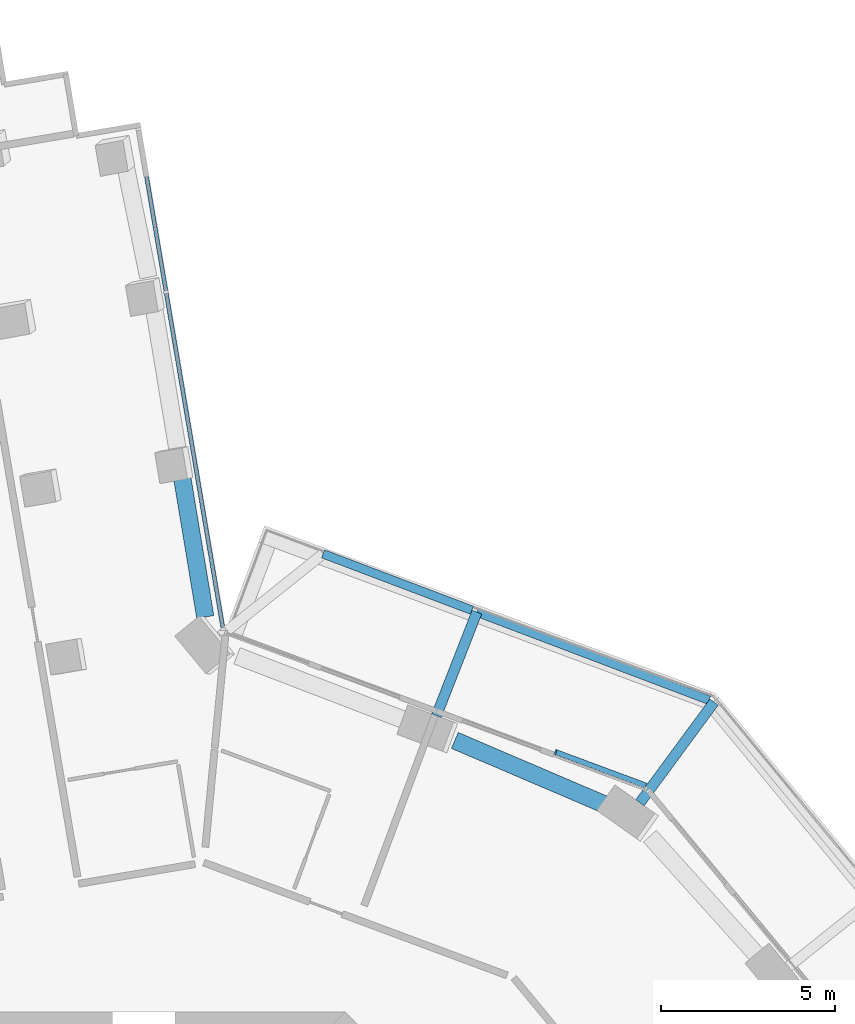
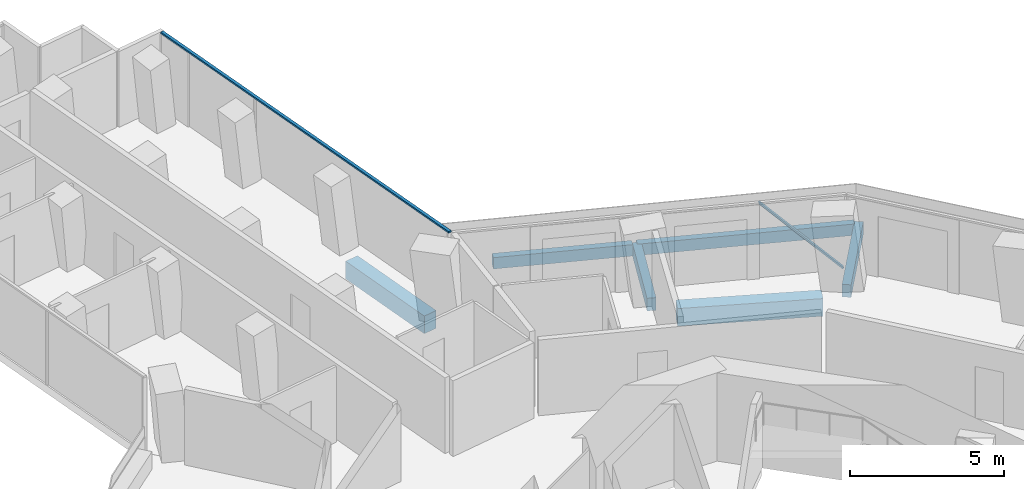
# One storey, part 10 of 27: 6 beams, 2 members, 2 elements without a shape of their own.
"""IFC4 building model written with IfcOpenShell, lengths in metres."""

from ifc_helpers import new_model, si_unit, direction, frame, origin, origin_2d, place, context, subcontext, project, spatial, rectangle, extrude, material, layer, layer_set, material_profile, profile_set, type_object, element, aggregate, save


model = new_model("IFC4")

# Units and contexts
model_context = context("Model", 3, precision=1e-05, world=origin(), true_north=direction((0.0, 1.0)))
body_context = subcontext(model_context, "Body", "Model", "MODEL_VIEW")
ifc_project = project(units=[si_unit("LENGTHUNIT", "METRE"), si_unit("AREAUNIT", "SQUARE_METRE"), si_unit("VOLUMEUNIT", "CUBIC_METRE"), si_unit("PLANEANGLEUNIT", "RADIAN"), si_unit("MASSUNIT", "GRAM", prefix="KILO")], contexts=[model_context])

# Site, building, storey
site_placement = place(None, origin())
site = spatial("IfcSite", under=ifc_project, at=site_placement, CompositionType="ELEMENT")
building_placement = place(site_placement, origin())
building = spatial("IfcBuilding", under=site, at=building_placement, Name="Verdalira Terraces Hotel", CompositionType="ELEMENT")
storey_placement = place(building_placement, frame((0.0, 0.0, 71.5)))
storey = spatial("IfcBuildingStorey", under=building, at=storey_placement, Name="L16", CompositionType="ELEMENT", Elevation=71.5)

# Beams
ifc_material_1 = material(Name="Concrete C40", Category="concrete")
ifc_material_profile_1 = material_profile(ifc_material_1, rectangle(XDim=0.300049, YDim=0.5, at=origin_2d()), Name="RC 300X500")
ifc_profile_set_1 = profile_set([ifc_material_profile_1], Name="Concrete C40")
beam_type_1 = type_object("IfcBeamType", Name="Balcony cantilever beam RC 300X500 C40", PredefinedType="BEAM", material=ifc_profile_set_1)
beam_1_placement = place(storey_placement, frame((14.286133, 20.027588, -0.560059), z_axis=(0.592821707, 0.805333734, 0.0), x_axis=(-0.805333734, 0.592821707, 0.0)))
element("IfcBeam", 1, at=beam_1_placement, inside=storey, type_object=beam_type_1, Name="Balcony cantilever beam R40-3", PredefinedType="BEAM", context=body_context, shape_type="SweptSolid", body=[
    extrude(rectangle(XDim=0.300049, YDim=0.5, at=origin_2d()), origin(), (0.0, 0.0, 1.0), 3.598145),
])
beam_2_placement = place(storey_placement, frame((8.425781, 22.53418, -0.560059), z_axis=(0.36427856, 0.931290036, 0.0), x_axis=(-0.931290036, 0.36427856, 0.0)))
element("IfcBeam", 2, at=beam_2_placement, inside=storey, type_object=beam_type_1, Name="Balcony cantilever beam R40-4", PredefinedType="BEAM", context=body_context, shape_type="SweptSolid", body=[
    extrude(rectangle(XDim=0.300049, YDim=0.5, at=origin_2d()), origin(), (0.0, 0.0, 1.0), 3.200928),
])
ifc_material_2 = material(Name="Concrete C40", Category="concrete")
ifc_material_profile_2 = material_profile(ifc_material_2, rectangle(XDim=0.25, YDim=0.449951, at=origin_2d()), Name="RC 250X450")
ifc_profile_set_2 = profile_set([ifc_material_profile_2], Name="Concrete C40")
beam_type_2 = type_object("IfcBeamType", Name="Balcony edge beam RC 250X450 C40", PredefinedType="BEAM", material=ifc_profile_set_2)
beam_3_placement = place(storey_placement, frame((16.273682, 22.980469, -0.534912), z_axis=(-0.934990104, 0.354673801, 0.0), x_axis=(-0.354673801, -0.934990104, 0.0)))
element("IfcBeam", 3, at=beam_3_placement, inside=storey, type_object=beam_type_2, Name="Balcony edge beam R40-3", PredefinedType="BEAM", context=body_context, shape_type="SweptSolid", body=[
    extrude(rectangle(XDim=0.25, YDim=0.449951, at=origin_2d()), origin(), (0.0, 0.0, 1.0), 7.146484),
])
beam_4_placement = place(storey_placement, frame((9.451416, 25.568359, -0.534912), z_axis=(-0.93515811, 0.354230589, 0.0), x_axis=(-0.354230589, -0.93515811, 0.0)))
element("IfcBeam", 4, at=beam_4_placement, inside=storey, type_object=beam_type_2, Name="Balcony edge beam R40-4", PredefinedType="BEAM", context=body_context, shape_type="SweptSolid", body=[
    extrude(rectangle(XDim=0.25, YDim=0.449951, at=origin_2d()), origin(), (0.0, 0.0, 1.0), 4.58667),
])

# Curtain wall, member
ifc_material_3 = material(Name="Clear glass", Category="glass")
ifc_layer_1 = layer(ifc_material_3, 0.14990234375)
ifc_layer_set_1 = layer_set([ifc_layer_1], Name="CW2 curtain wall")
curtain_wall_type_1 = type_object("IfcCurtainWallType", Name="CW2 curtain wall", PredefinedType="NOTDEFINED", material=ifc_layer_set_1)
curtain_wall_1_placement = place(storey_placement, origin())
curtain_wall_1 = element("IfcCurtainWall", 5, at=curtain_wall_1_placement, inside=storey, type_object=curtain_wall_type_1, Name="CW2 curtain wall L16 edge 0", PredefinedType="NOTDEFINED")
ifc_material_4 = material(Name="Terracotta frame", Category="masonry")
ifc_material_profile_3 = material_profile(ifc_material_4, rectangle(XDim=0.11499, YDim=0.064941, at=origin_2d()), Name="TR 65x115")
ifc_profile_set_3 = profile_set([ifc_material_profile_3], Name="Terracotta frame")
member_type_1 = type_object("IfcMemberType", Name="CW2 transom 65x115", PredefinedType="USERDEFINED", material=ifc_profile_set_3)
member_1_placement = place(storey_placement, frame((2.289551, 24.98999, 2.967529), z_axis=(-0.166773425, 0.985995246, 0.0), x_axis=(-0.985995246, -0.166773425, 0.0)))
member_1 = element("IfcMember", 6, at=member_1_placement, type_object=member_type_1, Name="CW2 transom", ObjectType="TRANSOM", PredefinedType="USERDEFINED", context=body_context, shape_type="SweptSolid", body=[
    extrude(rectangle(XDim=0.11499, YDim=0.064941, at=origin_2d()), origin(), (0.0, 0.0, 1.0), 14.669922),
])
aggregate(curtain_wall_1, [member_1])

ifc_material_5 = material(Name="Clear glass", Category="glass")
ifc_layer_2 = layer(ifc_material_5, 0.14990234375)
ifc_layer_set_2 = layer_set([ifc_layer_2], Name="CW1 curtain wall")
curtain_wall_type_2 = type_object("IfcCurtainWallType", Name="CW1 curtain wall", PredefinedType="NOTDEFINED", material=ifc_layer_set_2)
curtain_wall_2_placement = place(storey_placement, origin())
curtain_wall_2 = element("IfcCurtainWall", 7, at=curtain_wall_2_placement, inside=storey, type_object=curtain_wall_type_2, Name="CW1 curtain wall L16 edge 41", PredefinedType="NOTDEFINED")
ifc_material_6 = material(Name="Terracotta frame", Category="masonry")
ifc_material_profile_4 = material_profile(ifc_material_6, rectangle(XDim=0.149902, YDim=0.060059, at=origin_2d()), Name="GB 60x150")
ifc_profile_set_4 = profile_set([ifc_material_profile_4], Name="Terracotta frame")
member_type_2 = type_object("IfcMemberType", Name="Diagonal glazing bar 60x150", PredefinedType="USERDEFINED", material=ifc_profile_set_4)
member_2_placement = place(storey_placement, frame((14.4375, 20.527344, 0.02417), z_axis=(-0.646963278, 0.240561166, 0.723580571), x_axis=(-0.348518184, -0.937302019, 0.0)))
member_2 = element("IfcMember", 8, at=member_2_placement, type_object=member_type_2, Name="Diagonal glazing bar", ObjectType="GLAZING BAR", PredefinedType="USERDEFINED", context=body_context, shape_type="SweptSolid", body=[
    extrude(rectangle(XDim=0.149902, YDim=0.060059, at=origin_2d()), origin(), (0.0, 0.0, 1.0), 3.989502),
])
aggregate(curtain_wall_2, [member_2])

# Beams
ifc_material_7 = material(Name="Concrete C70", Category="concrete")
ifc_material_profile_5 = material_profile(ifc_material_7, rectangle(XDim=0.5, YDim=0.699951, at=origin_2d()), Name="RC 500X700")
ifc_profile_set_5 = profile_set([ifc_material_profile_5], Name="Concrete C70")
beam_type_3 = type_object("IfcBeamType", Name="Spandrel beam RC 500X700 C70", PredefinedType="SPANDREL", material=ifc_profile_set_5)
beam_5_placement = place(storey_placement, frame((1.77124, 25.374023, -0.659912), z_axis=(-0.163592654, 0.986527974, 0.0), x_axis=(-0.986527974, -0.163592654, 0.0)))
element("IfcBeam", 9, at=beam_5_placement, inside=storey, type_object=beam_type_3, Name="Spandrel beam B01", PredefinedType="SPANDREL", context=body_context, shape_type="SweptSolid", body=[
    extrude(rectangle(XDim=0.5, YDim=0.699951, at=origin_2d()), origin(), (0.0, 0.0, 1.0), 4.026367),
])
beam_6_placement = place(storey_placement, frame((13.331055, 19.949951, -0.659912), z_axis=(-0.919510813, 0.393064709, 0.0), x_axis=(-0.393064709, -0.919510813, 0.0)))
element("IfcBeam", 10, at=beam_6_placement, inside=storey, type_object=beam_type_3, Name="Spandrel beam B34", PredefinedType="SPANDREL", context=body_context, shape_type="SweptSolid", body=[
    extrude(rectangle(XDim=0.5, YDim=0.699951, at=origin_2d()), origin(), (0.0, 0.0, 1.0), 4.759033),
])

save(model, "model.ifc")
